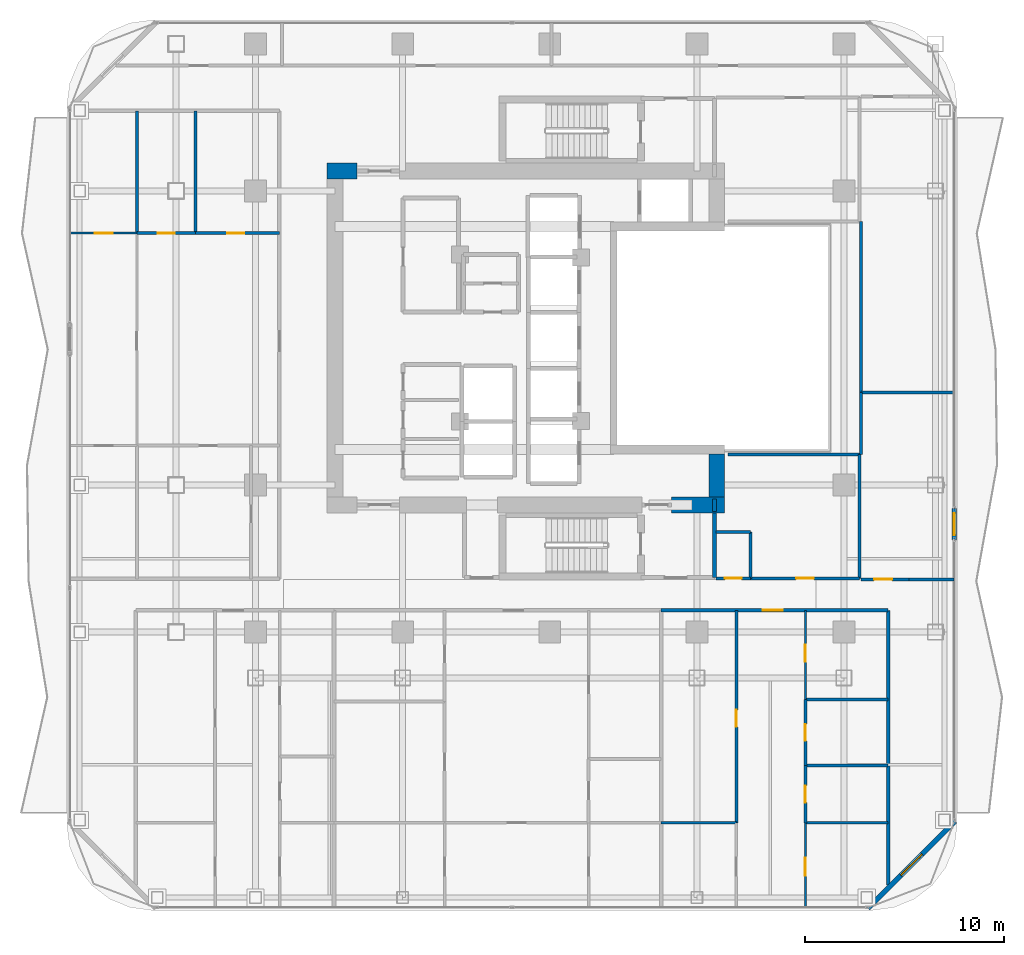
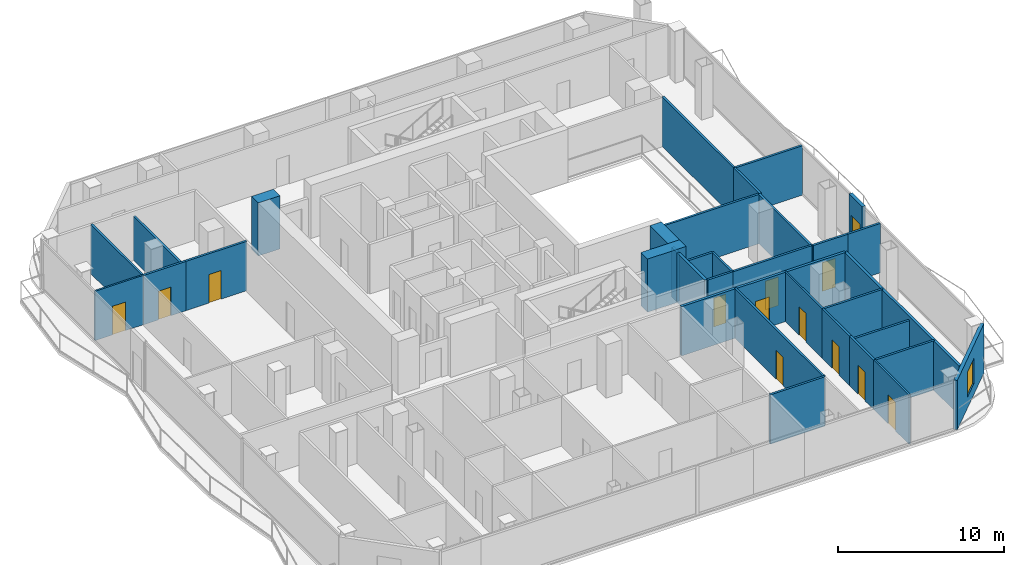
# One storey, part 19 of 24: 34 walls, 13 doors, 1 window, 14 openings.
"""IFC4 building model written with IfcOpenShell, lengths in metres."""

from ifc_helpers import new_model, si_unit, direction, frame, frame_2d, origin, place, context, subcontext, project, spatial, rectangle, extrude, material, layer, layer_set, type_object, element, fill, save


model = new_model("IFC4")

# Units and contexts
model_context = context("Model", 3, precision=1e-05, world=origin(), true_north=direction((0.0, 1.0)))
body_context = subcontext(model_context, "Body", "Model", "MODEL_VIEW")
ifc_project = project(units=[si_unit("LENGTHUNIT", "METRE"), si_unit("AREAUNIT", "SQUARE_METRE"), si_unit("VOLUMEUNIT", "CUBIC_METRE"), si_unit("PLANEANGLEUNIT", "RADIAN"), si_unit("MASSUNIT", "GRAM", prefix="KILO")], contexts=[model_context])

# Site, building, storey
site_placement = place(None, origin())
site = spatial("IfcSite", under=ifc_project, at=site_placement, CompositionType="ELEMENT")
building_placement = place(site_placement, origin())
building = spatial("IfcBuilding", under=site, at=building_placement, Name="Khorvyn Point Tower", CompositionType="ELEMENT")
storey_placement = place(building_placement, frame((0.0, 0.0, 215.699951171875)))
storey = spatial("IfcBuildingStorey", under=building, at=storey_placement, Name="L53", CompositionType="ELEMENT", Elevation=215.699951171875)

# Wall, opening, door
ifc_material_1 = material(Name="Double acoustic gypsum on twin steel stud", Category="steel")
ifc_layer_1 = layer(ifc_material_1, 0.179931640625)
ifc_layer_set_1 = layer_set([ifc_layer_1], Name="Acoustic Double-Stud Apartment Demising Wall 180")
wall_type_1 = type_object("IfcWallType", Name="Acoustic Double-Stud Apartment Demising Wall 180", PredefinedType="PARTITIONING", material=ifc_layer_set_1)
wall_1_placement = place(storey_placement, frame((5.59912109375, -13.699951171875, 0.0), z_axis=(0.0, 0.0, 1.0), x_axis=(1.0, 0.0, 0.0)))
wall_1 = element("IfcWall", 1, at=wall_1_placement, inside=storey, type_object=wall_type_1, Name="Wall", PredefinedType="PARTITIONING", context=body_context, shape_type="SweptSolid", body=[
    extrude(rectangle(XDim=11.4208984375, YDim=0.179931640625, at=frame_2d((5.71044921875, 0.0))), origin(), (0.0, 0.0, 1.0), 3.6201171875),
])
opening_1_placement = place(wall_1_placement, frame((5.121826171875, 0.0, 0.0)))
opening_1 = element("IfcOpeningElement", 2, at=opening_1_placement, cuts=wall_1, Name="Opening ID-AP60", PredefinedType="OPENING", context=body_context, shape_type="SweptSolid", body=[
    extrude(rectangle(XDim=1.0, YDim=2.199951171875, at=frame_2d((0.5, 1.10009765625))), frame((0.0, 0.099853515625, 0.0), z_axis=(0.0, -1.0, 0.0), x_axis=(1.0, 0.0, 0.0)), (0.0, 0.0, 1.0), 0.199951171875),
])
ifc_material_2 = material(Name="Engineered hardwood fire-rated leaf", Category="wood")
door_type_1 = type_object("IfcDoorType", Name="Acoustic Solid-Core Timber Apartment Entrance Door 1000x2200", OperationType="NOTDEFINED", PredefinedType="DOOR", material=ifc_material_2)
door_1_placement = place(opening_1_placement, origin())
door_1 = element("IfcDoor", 3, at=door_1_placement, inside=storey, type_object=door_type_1, Name="Door", OperationType="SINGLE_SWING_LEFT", OverallHeight=2.199951171875, OverallWidth=1.0, PredefinedType="DOOR", context=body_context, shape_type="SweptSolid", body=[
    extrude(rectangle(XDim=1.0, YDim=2.199951171875, at=frame_2d((0.5, 1.10009765625))), frame((0.0, 0.02490234375, 0.0), z_axis=(0.0, -1.0, 0.0), x_axis=(1.0, 0.0, 0.0)), (0.0, 0.0, 1.0), 0.050048828125),
])
fill(opening_1, door_1)

# Wall
wall_2_placement = place(storey_placement, frame((17.02001953125, -27.510009765625, 0.0), z_axis=(0.0, 0.0, 1.0), x_axis=(0.0, 1.0, 0.0)))
element("IfcWall", 4, at=wall_2_placement, inside=storey, type_object=wall_type_1, Name="Wall", PredefinedType="PARTITIONING", context=body_context, shape_type="SweptSolid", body=[
    extrude(rectangle(XDim=13.81005859375, YDim=0.179931640625, at=frame_2d((6.905029296875, 0.0))), origin(), (0.0, 0.0, 1.0), 3.6201171875),
])

# Wall, opening, door
ifc_material_3 = material(Name="Pale anodised aluminium rainscreen on steel stud", Category="steel")
ifc_layer_2 = layer(ifc_material_3, 0.239990234375)
ifc_layer_set_2 = layer_set([ifc_layer_2], Name="Anodised Aluminium Insulated Corner Spandrel Wall 240")
wall_type_2 = type_object("IfcWallType", Name="Anodised Aluminium Insulated Corner Spandrel Wall 240", PredefinedType="SOLIDWALL", material=ifc_layer_set_2)
wall_3_placement = place(storey_placement, frame((20.35009765625, -8.576904296875, 0.0), z_axis=(0.0, 0.0, 1.0), x_axis=(0.0, -1.0, 0.0)))
wall_3 = element("IfcWall", 5, at=wall_3_placement, inside=storey, type_object=wall_type_2, Name="L53 East Outdoor Threshold Wall", PredefinedType="SOLIDWALL", context=body_context, shape_type="SweptSolid", body=[
    extrude(rectangle(XDim=1.580078125, YDim=0.239990234375, at=frame_2d((0.7900390625, 0.0))), origin(), (0.0, 0.0, 1.0), 3.6201171875),
])
opening_2_placement = place(wall_3_placement, frame((0.239990234375, 0.0, 0.0)))
opening_2 = element("IfcOpeningElement", 6, at=opening_2_placement, cuts=wall_3, Name="Opening BD-1122", PredefinedType="OPENING", context=body_context, shape_type="SweptSolid", body=[
    extrude(rectangle(XDim=1.10009765625, YDim=2.199951171875, at=frame_2d((0.550048828125, 1.10009765625))), frame((0.0, 0.1298828125, 0.0), z_axis=(0.0, -1.0, 0.0), x_axis=(1.0, 0.0, 0.0)), (0.0, 0.0, 1.0), 0.260009765625),
])
ifc_material_4 = material(Name="Anodised aluminium 6063-T6 and laminated Low-E glass", Category="aluminium")
door_type_2 = type_object("IfcDoorType", Name="Glazed Balcony and Terrace Threshold Door 1100x2200", OperationType="NOTDEFINED", PredefinedType="DOOR", material=ifc_material_4)
door_2_placement = place(opening_2_placement, origin())
door_2 = element("IfcDoor", 7, at=door_2_placement, inside=storey, type_object=door_type_2, Name="L53 East Glazed Balcony Outdoor Door", OperationType="SINGLE_SWING_LEFT", OverallHeight=2.199951171875, OverallWidth=1.10009765625, PredefinedType="DOOR", context=body_context, shape_type="SweptSolid", body=[
    extrude(rectangle(XDim=1.10009765625, YDim=2.199951171875, at=frame_2d((0.550048828125, 1.10009765625))), frame((0.0, 0.02490234375, 0.0), z_axis=(0.0, -1.0, 0.0), x_axis=(1.0, 0.0, 0.0)), (0.0, 0.0, 1.0), 0.050048828125),
])
fill(opening_2, door_2)

# Wall, opening, window
wall_4_placement = place(storey_placement, frame((20.392333984375, -24.3076171875, 0.0), z_axis=(0.0, 0.0, 1.0), x_axis=(-0.707106781187, -0.707106781187, 0.0)))
wall_4 = element("IfcWall", 8, at=wall_4_placement, inside=storey, type_object=wall_type_2, Name="L53 Rounded Corner Wall SE", PredefinedType="SOLIDWALL", context=body_context, shape_type="SweptSolid", body=[
    extrude(rectangle(XDim=6.200927734375, YDim=0.239990234375, at=frame_2d((3.1005859375, 0.0))), origin(), (0.0, 0.0, 1.0), 3.6201171875),
])
opening_3_placement = place(wall_4_placement, frame((2.3505859375, 0.0, 0.800048828125)))
opening_3 = element("IfcOpeningElement", 9, at=opening_3_placement, cuts=wall_4, Name="Opening WN-1518", PredefinedType="OPENING", context=body_context, shape_type="SweptSolid", body=[
    extrude(rectangle(XDim=1.5, YDim=1.85009765625, at=frame_2d((0.75, 0.925048828125))), frame((0.0, 0.1298828125, 0.0), z_axis=(0.0, -1.0, 0.0), x_axis=(1.0, 0.0, 0.0)), (0.0, 0.0, 1.0), 0.260009765625),
])
window_type = type_object("IfcWindowType", Name="Anodised Aluminium Rounded-Corner Panoramic Window 1500x1850", PartitioningType="SINGLE_PANEL", PredefinedType="WINDOW", material=ifc_material_4)
window_placement = place(opening_3_placement, origin())
window = element("IfcWindow", 10, at=window_placement, inside=storey, type_object=window_type, Name="L53 Corner Panoramic Window SE", OverallHeight=1.85009765625, OverallWidth=1.5, PartitioningType="SINGLE_PANEL", PredefinedType="WINDOW", context=body_context, shape_type="SweptSolid", body=[
    extrude(rectangle(XDim=1.5, YDim=1.85009765625, at=frame_2d((0.75, 0.925048828125))), frame((0.0, 0.030029296875, 0.0), z_axis=(0.0, -1.0, 0.0), x_axis=(1.0, 0.0, 0.0)), (0.0, 0.0, 1.0), 0.06005859375),
])
fill(opening_3, window)

# Walls
ifc_material_5 = material(Name="Concrete C40/50", Category="concrete")
ifc_layer_3 = layer(ifc_material_5, 0.199951171875)
ifc_layer_set_3 = layer_set([ifc_layer_3], Name="Concrete C40/50 Fire-Lobby Compartment Wall 200")
wall_type_3 = type_object("IfcWallType", Name="Concrete C40/50 Fire-Lobby Compartment Wall 200", PredefinedType="SOLIDWALL", material=ifc_layer_set_3)
wall_5_placement = place(storey_placement, frame((8.280029296875, -12.06005859375, 0.0), z_axis=(0.0, 0.0, 1.0), x_axis=(0.0, 1.0, 0.0)))
element("IfcWall", 11, at=wall_5_placement, inside=storey, type_object=wall_type_3, Name="Wall", PredefinedType="SOLIDWALL", context=body_context, shape_type="SweptSolid", body=[
    extrude(rectangle(XDim=3.260009765625, YDim=0.199951171875, at=frame_2d((1.6298828125, 0.0))), origin(), (0.0, 0.0, 1.0), 3.6201171875),
])
wall_6_placement = place(storey_placement, frame((8.280029296875, -8.72509765625, 0.0), z_axis=(0.0, 0.0, 1.0), x_axis=(0.0, 1.0, 0.0)))
element("IfcWall", 12, at=wall_6_placement, inside=storey, type_object=wall_type_3, Name="Wall", PredefinedType="SOLIDWALL", context=body_context, shape_type="SweptSolid", body=[
    extrude(rectangle(XDim=0.625, YDim=0.199951171875, at=frame_2d((0.3125, 0.0))), origin(), (0.0, 0.0, 1.0), 3.6201171875),
])
ifc_material_6 = material(Name="Concrete C45/55", Category="concrete")
ifc_layer_4 = layer(ifc_material_6, 0.800048828125)
ifc_layer_set_4 = layer_set([ifc_layer_4], Name="Concrete C45/55 Core Shear Wall 800")
wall_type_4 = type_object("IfcWallType", Name="Concrete C45/55 Core Shear Wall 800", PredefinedType="SHEAR", material=ifc_layer_set_4)
wall_7_placement = place(storey_placement, frame((6.1201171875, -8.39990234375, 0.0), z_axis=(0.0, 0.0, 1.0), x_axis=(1.0, 0.0, 0.0)))
element("IfcWall", 13, at=wall_7_placement, inside=storey, type_object=wall_type_4, Name="Wall", PredefinedType="SHEAR", context=body_context, shape_type="SweptSolid", body=[
    extrude(rectangle(XDim=2.679931640625, YDim=0.800048828125, at=frame_2d((1.33984375, 0.0))), origin(), (0.0, 0.0, 1.0), 3.900146484375),
])
wall_8_placement = place(storey_placement, frame((-11.199951171875, 8.39990234375, 0.0), z_axis=(0.0, 0.0, 1.0), x_axis=(1.0, 0.0, 0.0)))
element("IfcWall", 14, at=wall_8_placement, inside=storey, type_object=wall_type_4, Name="Wall", PredefinedType="SHEAR", context=body_context, shape_type="SweptSolid", body=[
    extrude(rectangle(XDim=1.5, YDim=0.800048828125, at=frame_2d((0.75, 0.0))), origin(), (0.0, 0.0, 1.0), 3.900146484375),
])
wall_9_placement = place(storey_placement, frame((8.39990234375, -8.0, 0.0), z_axis=(0.0, 0.0, 1.0), x_axis=(0.0, 1.0, 0.0)))
element("IfcWall", 15, at=wall_9_placement, inside=storey, type_object=wall_type_4, Name="Wall", PredefinedType="SHEAR", context=body_context, shape_type="SweptSolid", body=[
    extrude(rectangle(XDim=2.175048828125, YDim=0.800048828125, at=frame_2d((1.08740234375, 0.0))), origin(), (0.0, 0.0, 1.0), 3.900146484375),
])

# Wall, opening, door
ifc_material_7 = material(Name="Gypsum plasterboard on steel stud", Category="steel")
ifc_layer_5 = layer(ifc_material_7, 0.1201171875)
ifc_layer_set_5 = layer_set([ifc_layer_5], Name="Gypsum Acoustic Stud Room Partition Wall 120")
wall_type_5 = type_object("IfcWallType", Name="Gypsum Acoustic Stud Room Partition Wall 120", PredefinedType="PARTITIONING", material=ifc_layer_set_5)
wall_10_placement = place(storey_placement, frame((12.865966796875, -18.18994140625, 0.0), z_axis=(0.0, 0.0, 1.0), x_axis=(0.0, 1.0, 0.0)))
wall_10 = element("IfcWall", 16, at=wall_10_placement, inside=storey, type_object=wall_type_5, Name="Wall", PredefinedType="PARTITIONING", context=body_context, shape_type="SweptSolid", body=[
    extrude(rectangle(XDim=4.489990234375, YDim=0.1201171875, at=frame_2d((2.2451171875, 0.0))), origin(), (0.0, 0.0, 1.0), 3.6201171875),
])
opening_4_placement = place(wall_10_placement, frame((1.907470703125, 0.0, 0.0)))
opening_4 = element("IfcOpeningElement", 17, at=opening_4_placement, cuts=wall_10, Name="Opening ID-WC85", PredefinedType="OPENING", context=body_context, shape_type="SweptSolid", body=[
    extrude(rectangle(XDim=0.85009765625, YDim=2.10009765625, at=frame_2d((0.425048828125, 1.050048828125))), frame((0.0, 0.070068359375, 0.0), z_axis=(0.0, -1.0, 0.0), x_axis=(1.0, 0.0, 0.0)), (0.0, 0.0, 1.0), 0.14013671875),
])
ifc_material_8 = material(Name="High-pressure laminate on moisture-resistant core", Category="wood")
door_type_3 = type_object("IfcDoorType", Name="Moisture-Resistant Accessible Washroom Door 850x2100", OperationType="NOTDEFINED", PredefinedType="DOOR", material=ifc_material_8)
door_3_placement = place(opening_4_placement, origin())
door_3 = element("IfcDoor", 18, at=door_3_placement, inside=storey, type_object=door_type_3, Name="Door", OperationType="SINGLE_SWING_RIGHT", OverallHeight=2.10009765625, OverallWidth=0.85009765625, PredefinedType="DOOR", context=body_context, shape_type="SweptSolid", body=[
    extrude(rectangle(XDim=0.85009765625, YDim=2.10009765625, at=frame_2d((0.425048828125, 1.050048828125))), frame((0.0, 0.02490234375, 0.0), z_axis=(0.0, -1.0, 0.0), x_axis=(1.0, 0.0, 0.0)), (0.0, 0.0, 1.0), 0.050048828125),
])
fill(opening_4, door_3)

wall_11_placement = place(storey_placement, frame((12.865966796875, -28.6298828125, 0.0), z_axis=(0.0, 0.0, 1.0), x_axis=(0.0, 1.0, 0.0)))
wall_11 = element("IfcWall", 19, at=wall_11_placement, inside=storey, type_object=wall_type_5, Name="Wall", PredefinedType="PARTITIONING", context=body_context, shape_type="SweptSolid", body=[
    extrude(rectangle(XDim=4.239990234375, YDim=0.1201171875, at=frame_2d((2.1201171875, 0.0))), origin(), (0.0, 0.0, 1.0), 3.6201171875),
])
opening_5_placement = place(wall_11_placement, frame((1.581298828125, 0.0, 0.0)))
opening_5 = element("IfcOpeningElement", 20, at=opening_5_placement, cuts=wall_11, Name="Opening ID-RM90", PredefinedType="OPENING", context=body_context, shape_type="SweptSolid", body=[
    extrude(rectangle(XDim=0.89990234375, YDim=2.10009765625, at=frame_2d((0.449951171875, 1.050048828125))), frame((0.0, 0.070068359375, 0.0), z_axis=(0.0, -1.0, 0.0), x_axis=(1.0, 0.0, 0.0)), (0.0, 0.0, 1.0), 0.14013671875),
])
ifc_material_9 = material(Name="Engineered oak veneer timber", Category="wood")
door_type_4 = type_object("IfcDoorType", Name="Flush Engineered Timber Room Door 900x2100", OperationType="NOTDEFINED", PredefinedType="DOOR", material=ifc_material_9)
door_4_placement = place(opening_5_placement, origin())
door_4 = element("IfcDoor", 21, at=door_4_placement, inside=storey, type_object=door_type_4, Name="Door", OperationType="SINGLE_SWING_LEFT", OverallHeight=2.10009765625, OverallWidth=0.89990234375, PredefinedType="DOOR", context=body_context, shape_type="SweptSolid", body=[
    extrude(rectangle(XDim=0.89990234375, YDim=2.10009765625, at=frame_2d((0.449951171875, 1.050048828125))), frame((0.0, 0.02490234375, 0.0), z_axis=(0.0, -1.0, 0.0), x_axis=(1.0, 0.0, 0.0)), (0.0, 0.0, 1.0), 0.050048828125),
])
fill(opening_5, door_4)

wall_12_placement = place(storey_placement, frame((-24.1298828125, 5.281982421875, 0.0), z_axis=(0.0, 0.0, 1.0), x_axis=(1.0, 0.0, 0.0)))
wall_12 = element("IfcWall", 22, at=wall_12_placement, inside=storey, type_object=wall_type_5, Name="Wall", PredefinedType="PARTITIONING", context=body_context, shape_type="SweptSolid", body=[
    extrude(rectangle(XDim=3.36083984375, YDim=0.1201171875, at=frame_2d((1.680419921875, 0.0))), origin(), (0.0, 0.0, 1.0), 3.6201171875),
])
opening_6_placement = place(wall_12_placement, frame((1.23046875, 0.0, 0.0)))
opening_6 = element("IfcOpeningElement", 23, at=opening_6_placement, cuts=wall_12, Name="Opening ID-RM90", PredefinedType="OPENING", context=body_context, shape_type="SweptSolid", body=[
    extrude(rectangle(XDim=0.89990234375, YDim=2.10009765625, at=frame_2d((0.449951171875, 1.050048828125))), frame((0.0, 0.070068359375, 0.0), z_axis=(0.0, -1.0, 0.0), x_axis=(1.0, 0.0, 0.0)), (0.0, 0.0, 1.0), 0.14013671875),
])
door_5_placement = place(opening_6_placement, origin())
door_5 = element("IfcDoor", 24, at=door_5_placement, inside=storey, type_object=door_type_4, Name="Door", OperationType="SINGLE_SWING_LEFT", OverallHeight=2.10009765625, OverallWidth=0.89990234375, PredefinedType="DOOR", context=body_context, shape_type="SweptSolid", body=[
    extrude(rectangle(XDim=0.89990234375, YDim=2.10009765625, at=frame_2d((0.449951171875, 1.050048828125))), frame((0.0, 0.02490234375, 0.0), z_axis=(0.0, -1.0, 0.0), x_axis=(1.0, 0.0, 0.0)), (0.0, 0.0, 1.0), 0.050048828125),
])
fill(opening_6, door_5)

ifc_material_10 = material(Name="Moisture-resistant gypsum and cement board", Category="gypsum")
ifc_layer_6 = layer(ifc_material_10, 0.14990234375)
ifc_layer_set_6 = layer_set([ifc_layer_6], Name="Moisture-Resistant Wet-Room Partition Wall 150")
wall_type_6 = type_object("IfcWallType", Name="Moisture-Resistant Wet-Room Partition Wall 150", PredefinedType="PARTITIONING", material=ifc_layer_set_6)
wall_13_placement = place(storey_placement, frame((8.360107421875, -12.10009765625, 0.0), z_axis=(0.0, 0.0, 1.0), x_axis=(1.0, 0.0, 0.0)))
wall_13 = element("IfcWall", 25, at=wall_13_placement, inside=storey, type_object=wall_type_6, Name="Wall", PredefinedType="PARTITIONING", context=body_context, shape_type="SweptSolid", body=[
    extrude(rectangle(XDim=1.739990234375, YDim=0.14990234375, at=frame_2d((0.8701171875, 0.0))), origin(), (0.0, 0.0, 1.0), 3.6201171875),
])
opening_7_placement = place(wall_13_placement, frame((0.445068359375, 0.0, 0.0)))
opening_7 = element("IfcOpeningElement", 26, at=opening_7_placement, cuts=wall_13, Name="Opening ID-WC85", PredefinedType="OPENING", context=body_context, shape_type="SweptSolid", body=[
    extrude(rectangle(XDim=0.85009765625, YDim=2.10009765625, at=frame_2d((0.425048828125, 1.050048828125))), frame((0.0, 0.0849609375, 0.0), z_axis=(0.0, -1.0, 0.0), x_axis=(1.0, 0.0, 0.0)), (0.0, 0.0, 1.0), 0.169921875),
])
door_6_placement = place(opening_7_placement, origin())
door_6 = element("IfcDoor", 27, at=door_6_placement, inside=storey, type_object=door_type_3, Name="Door", OperationType="SINGLE_SWING_LEFT", OverallHeight=2.10009765625, OverallWidth=0.85009765625, PredefinedType="DOOR", context=body_context, shape_type="SweptSolid", body=[
    extrude(rectangle(XDim=0.85009765625, YDim=2.10009765625, at=frame_2d((0.425048828125, 1.050048828125))), frame((0.0, 0.02490234375, 0.0), z_axis=(0.0, -1.0, 0.0), x_axis=(1.0, 0.0, 0.0)), (0.0, 0.0, 1.0), 0.050048828125),
])
fill(opening_7, door_6)

wall_14_placement = place(storey_placement, frame((10.10009765625, -12.10009765625, 0.0), z_axis=(0.0, 0.0, 1.0), x_axis=(1.0, 0.0, 0.0)))
wall_14 = element("IfcWall", 28, at=wall_14_placement, inside=storey, type_object=wall_type_6, Name="Wall", PredefinedType="PARTITIONING", context=body_context, shape_type="SweptSolid", body=[
    extrude(rectangle(XDim=5.47998046875, YDim=0.14990234375, at=frame_2d((2.739990234375, 0.0))), origin(), (0.0, 0.0, 1.0), 3.6201171875),
])
opening_8_placement = place(wall_14_placement, frame((2.2900390625, 0.0, 0.0)))
opening_8 = element("IfcOpeningElement", 29, at=opening_8_placement, cuts=wall_14, Name="Opening ID-RM90", PredefinedType="OPENING", context=body_context, shape_type="SweptSolid", body=[
    extrude(rectangle(XDim=0.89990234375, YDim=2.10009765625, at=frame_2d((0.449951171875, 1.050048828125))), frame((0.0, 0.0849609375, 0.0), z_axis=(0.0, -1.0, 0.0), x_axis=(1.0, 0.0, 0.0)), (0.0, 0.0, 1.0), 0.169921875),
])
door_7_placement = place(opening_8_placement, origin())
door_7 = element("IfcDoor", 30, at=door_7_placement, inside=storey, type_object=door_type_4, Name="Door", OperationType="SINGLE_SWING_RIGHT", OverallHeight=2.10009765625, OverallWidth=0.89990234375, PredefinedType="DOOR", context=body_context, shape_type="SweptSolid", body=[
    extrude(rectangle(XDim=0.89990234375, YDim=2.10009765625, at=frame_2d((0.449951171875, 1.050048828125))), frame((0.0, 0.02490234375, 0.0), z_axis=(0.0, -1.0, 0.0), x_axis=(1.0, 0.0, 0.0)), (0.0, 0.0, 1.0), 0.050048828125),
])
fill(opening_8, door_7)

wall_15_placement = place(storey_placement, frame((9.385986328125, -24.389892578125, 0.0), z_axis=(0.0, 0.0, 1.0), x_axis=(0.0, 1.0, 0.0)))
wall_15 = element("IfcWall", 31, at=wall_15_placement, inside=storey, type_object=wall_type_6, Name="Wall", PredefinedType="PARTITIONING", context=body_context, shape_type="SweptSolid", body=[
    extrude(rectangle(XDim=10.68994140625, YDim=0.14990234375, at=frame_2d((5.344970703125, 0.0))), origin(), (0.0, 0.0, 1.0), 3.6201171875),
])
opening_9_placement = place(wall_15_placement, frame((4.830078125, 0.0, 0.0)))
opening_9 = element("IfcOpeningElement", 32, at=opening_9_placement, cuts=wall_15, Name="Opening ID-WC85", PredefinedType="OPENING", context=body_context, shape_type="SweptSolid", body=[
    extrude(rectangle(XDim=0.85009765625, YDim=2.10009765625, at=frame_2d((0.425048828125, 1.050048828125))), frame((0.0, 0.0849609375, 0.0), z_axis=(0.0, -1.0, 0.0), x_axis=(1.0, 0.0, 0.0)), (0.0, 0.0, 1.0), 0.169921875),
])
door_8_placement = place(opening_9_placement, origin())
door_8 = element("IfcDoor", 33, at=door_8_placement, inside=storey, type_object=door_type_3, Name="Door", OperationType="SINGLE_SWING_RIGHT", OverallHeight=2.10009765625, OverallWidth=0.85009765625, PredefinedType="DOOR", context=body_context, shape_type="SweptSolid", body=[
    extrude(rectangle(XDim=0.85009765625, YDim=2.10009765625, at=frame_2d((0.425048828125, 1.050048828125))), frame((0.0, 0.02490234375, 0.0), z_axis=(0.0, -1.0, 0.0), x_axis=(1.0, 0.0, 0.0)), (0.0, 0.0, 1.0), 0.050048828125),
])
fill(opening_9, door_8)

wall_16_placement = place(storey_placement, frame((12.865966796875, -24.389892578125, 0.0), z_axis=(0.0, 0.0, 1.0), x_axis=(0.0, 1.0, 0.0)))
wall_16 = element("IfcWall", 34, at=wall_16_placement, inside=storey, type_object=wall_type_6, Name="Wall", PredefinedType="PARTITIONING", context=body_context, shape_type="SweptSolid", body=[
    extrude(rectangle(XDim=2.885986328125, YDim=0.14990234375, at=frame_2d((1.44287109375, 0.0))), origin(), (0.0, 0.0, 1.0), 3.6201171875),
])
opening_10_placement = place(wall_16_placement, frame((1.01806640625, 0.0, 0.0)))
opening_10 = element("IfcOpeningElement", 35, at=opening_10_placement, cuts=wall_16, Name="Opening ID-WC85", PredefinedType="OPENING", context=body_context, shape_type="SweptSolid", body=[
    extrude(rectangle(XDim=0.85009765625, YDim=2.10009765625, at=frame_2d((0.425048828125, 1.050048828125))), frame((0.0, 0.0849609375, 0.0), z_axis=(0.0, -1.0, 0.0), x_axis=(1.0, 0.0, 0.0)), (0.0, 0.0, 1.0), 0.169921875),
])
door_9_placement = place(opening_10_placement, origin())
door_9 = element("IfcDoor", 36, at=door_9_placement, inside=storey, type_object=door_type_3, Name="Door", OperationType="SINGLE_SWING_RIGHT", OverallHeight=2.10009765625, OverallWidth=0.85009765625, PredefinedType="DOOR", context=body_context, shape_type="SweptSolid", body=[
    extrude(rectangle(XDim=0.85009765625, YDim=2.10009765625, at=frame_2d((0.425048828125, 1.050048828125))), frame((0.0, 0.02490234375, 0.0), z_axis=(0.0, -1.0, 0.0), x_axis=(1.0, 0.0, 0.0)), (0.0, 0.0, 1.0), 0.050048828125),
])
fill(opening_10, door_9)

wall_17_placement = place(storey_placement, frame((12.865966796875, -21.50390625, 0.0), z_axis=(0.0, 0.0, 1.0), x_axis=(0.0, 1.0, 0.0)))
wall_17 = element("IfcWall", 37, at=wall_17_placement, inside=storey, type_object=wall_type_6, Name="Wall", PredefinedType="PARTITIONING", context=body_context, shape_type="SweptSolid", body=[
    extrude(rectangle(XDim=3.31396484375, YDim=0.14990234375, at=frame_2d((1.656982421875, 0.0))), origin(), (0.0, 0.0, 1.0), 3.6201171875),
])
opening_11_placement = place(wall_17_placement, frame((1.23193359375, 0.0, 0.0)))
opening_11 = element("IfcOpeningElement", 38, at=opening_11_placement, cuts=wall_17, Name="Opening ID-WC85", PredefinedType="OPENING", context=body_context, shape_type="SweptSolid", body=[
    extrude(rectangle(XDim=0.85009765625, YDim=2.10009765625, at=frame_2d((0.425048828125, 1.050048828125))), frame((0.0, 0.0849609375, 0.0), z_axis=(0.0, -1.0, 0.0), x_axis=(1.0, 0.0, 0.0)), (0.0, 0.0, 1.0), 0.169921875),
])
door_10_placement = place(opening_11_placement, origin())
door_10 = element("IfcDoor", 39, at=door_10_placement, inside=storey, type_object=door_type_3, Name="Door", OperationType="SINGLE_SWING_LEFT", OverallHeight=2.10009765625, OverallWidth=0.85009765625, PredefinedType="DOOR", context=body_context, shape_type="SweptSolid", body=[
    extrude(rectangle(XDim=0.85009765625, YDim=2.10009765625, at=frame_2d((0.425048828125, 1.050048828125))), frame((0.0, 0.02490234375, 0.0), z_axis=(0.0, -1.0, 0.0), x_axis=(1.0, 0.0, 0.0)), (0.0, 0.0, 1.0), 0.050048828125),
])
fill(opening_11, door_10)

wall_18_placement = place(storey_placement, frame((-20.76904296875, 5.281982421875, 0.0), z_axis=(0.0, 0.0, 1.0), x_axis=(1.0, 0.0, 0.0)))
wall_18 = element("IfcWall", 40, at=wall_18_placement, inside=storey, type_object=wall_type_6, Name="Wall", PredefinedType="PARTITIONING", context=body_context, shape_type="SweptSolid", body=[
    extrude(rectangle(XDim=2.93896484375, YDim=0.14990234375, at=frame_2d((1.469482421875, 0.0))), origin(), (0.0, 0.0, 1.0), 3.6201171875),
])
opening_12_placement = place(wall_18_placement, frame((1.04443359375, 0.0, 0.0)))
opening_12 = element("IfcOpeningElement", 41, at=opening_12_placement, cuts=wall_18, Name="Opening ID-WC85", PredefinedType="OPENING", context=body_context, shape_type="SweptSolid", body=[
    extrude(rectangle(XDim=0.85009765625, YDim=2.10009765625, at=frame_2d((0.425048828125, 1.050048828125))), frame((0.0, 0.0849609375, 0.0), z_axis=(0.0, -1.0, 0.0), x_axis=(1.0, 0.0, 0.0)), (0.0, 0.0, 1.0), 0.169921875),
])
door_11_placement = place(opening_12_placement, origin())
door_11 = element("IfcDoor", 42, at=door_11_placement, inside=storey, type_object=door_type_3, Name="Door", OperationType="SINGLE_SWING_LEFT", OverallHeight=2.10009765625, OverallWidth=0.85009765625, PredefinedType="DOOR", context=body_context, shape_type="SweptSolid", body=[
    extrude(rectangle(XDim=0.85009765625, YDim=2.10009765625, at=frame_2d((0.425048828125, 1.050048828125))), frame((0.0, 0.02490234375, 0.0), z_axis=(0.0, -1.0, 0.0), x_axis=(1.0, 0.0, 0.0)), (0.0, 0.0, 1.0), 0.050048828125),
])
fill(opening_12, door_11)

wall_19_placement = place(storey_placement, frame((-17.830078125, 5.281982421875, 0.0), z_axis=(0.0, 0.0, 1.0), x_axis=(1.0, 0.0, 0.0)))
wall_19 = element("IfcWall", 43, at=wall_19_placement, inside=storey, type_object=wall_type_6, Name="Wall", PredefinedType="PARTITIONING", context=body_context, shape_type="SweptSolid", body=[
    extrude(rectangle(XDim=4.22998046875, YDim=0.14990234375, at=frame_2d((2.114990234375, 0.0))), origin(), (0.0, 0.0, 1.0), 3.6201171875),
])
opening_13_placement = place(wall_19_placement, frame((1.60009765625, 0.0, 0.0)))
opening_13 = element("IfcOpeningElement", 44, at=opening_13_placement, cuts=wall_19, Name="Opening ID-WC85", PredefinedType="OPENING", context=body_context, shape_type="SweptSolid", body=[
    extrude(rectangle(XDim=0.85009765625, YDim=2.10009765625, at=frame_2d((0.425048828125, 1.050048828125))), frame((0.0, 0.0849609375, 0.0), z_axis=(0.0, -1.0, 0.0), x_axis=(1.0, 0.0, 0.0)), (0.0, 0.0, 1.0), 0.169921875),
])
door_12_placement = place(opening_13_placement, origin())
door_12 = element("IfcDoor", 45, at=door_12_placement, inside=storey, type_object=door_type_3, Name="Door", OperationType="SINGLE_SWING_RIGHT", OverallHeight=2.10009765625, OverallWidth=0.85009765625, PredefinedType="DOOR", context=body_context, shape_type="SweptSolid", body=[
    extrude(rectangle(XDim=0.85009765625, YDim=2.10009765625, at=frame_2d((0.425048828125, 1.050048828125))), frame((0.0, 0.02490234375, 0.0), z_axis=(0.0, -1.0, 0.0), x_axis=(1.0, 0.0, 0.0)), (0.0, 0.0, 1.0), 0.050048828125),
])
fill(opening_13, door_12)

wall_20_placement = place(storey_placement, frame((15.64990234375, -12.139892578125, 0.0), z_axis=(0.0, 0.0, 1.0), x_axis=(1.0, 0.0, 0.0)))
wall_20 = element("IfcWall", 46, at=wall_20_placement, inside=storey, type_object=wall_type_6, Name="Wall", PredefinedType="PARTITIONING", context=body_context, shape_type="SweptSolid", body=[
    extrude(rectangle(XDim=2.420166015625, YDim=0.14990234375, at=frame_2d((1.2099609375, 0.0))), origin(), (0.0, 0.0, 1.0), 3.6201171875),
])
opening_14_placement = place(wall_20_placement, frame((0.67431640625, 0.0, 0.0)))
opening_14 = element("IfcOpeningElement", 47, at=opening_14_placement, cuts=wall_20, Name="Opening ID-RM90", PredefinedType="OPENING", context=body_context, shape_type="SweptSolid", body=[
    extrude(rectangle(XDim=0.89990234375, YDim=2.10009765625, at=frame_2d((0.449951171875, 1.050048828125))), frame((0.0, 0.0849609375, 0.0), z_axis=(0.0, -1.0, 0.0), x_axis=(1.0, 0.0, 0.0)), (0.0, 0.0, 1.0), 0.169921875),
])
door_13_placement = place(opening_14_placement, origin())
door_13 = element("IfcDoor", 48, at=door_13_placement, inside=storey, type_object=door_type_4, Name="Door", OperationType="SINGLE_SWING_RIGHT", OverallHeight=2.10009765625, OverallWidth=0.89990234375, PredefinedType="DOOR", context=body_context, shape_type="SweptSolid", body=[
    extrude(rectangle(XDim=0.89990234375, YDim=2.10009765625, at=frame_2d((0.449951171875, 1.050048828125))), frame((0.0, 0.02490234375, 0.0), z_axis=(0.0, -1.0, 0.0), x_axis=(1.0, 0.0, 0.0)), (0.0, 0.0, 1.0), 0.050048828125),
])
fill(opening_14, door_13)

# Walls
wall_21_placement = place(storey_placement, frame((8.360107421875, -9.75, 0.0), z_axis=(0.0, 0.0, 1.0), x_axis=(1.0, 0.0, 0.0)))
element("IfcWall", 49, at=wall_21_placement, inside=storey, type_object=wall_type_6, Name="Wall", PredefinedType="PARTITIONING", context=body_context, shape_type="SweptSolid", body=[
    extrude(rectangle(XDim=1.739990234375, YDim=0.14990234375, at=frame_2d((0.8701171875, 0.0))), origin(), (0.0, 0.0, 1.0), 3.6201171875),
])
wall_22_placement = place(storey_placement, frame((10.10009765625, -12.10009765625, 0.0), z_axis=(0.0, 0.0, 1.0), x_axis=(0.0, 1.0, 0.0)))
element("IfcWall", 50, at=wall_22_placement, inside=storey, type_object=wall_type_6, Name="Wall", PredefinedType="PARTITIONING", context=body_context, shape_type="SweptSolid", body=[
    extrude(rectangle(XDim=2.35009765625, YDim=0.14990234375, at=frame_2d((1.175048828125, 0.0))), origin(), (0.0, 0.0, 1.0), 3.6201171875),
])
wall_23_placement = place(storey_placement, frame((15.580078125, -12.10009765625, 0.0), z_axis=(0.0, 0.0, 1.0), x_axis=(0.0, 1.0, 0.0)))
element("IfcWall", 51, at=wall_23_placement, inside=storey, type_object=wall_type_6, Name="Wall", PredefinedType="PARTITIONING", context=body_context, shape_type="SweptSolid", body=[
    extrude(rectangle(XDim=6.25, YDim=0.14990234375, at=frame_2d((3.125, 0.0))), origin(), (0.0, 0.0, 1.0), 3.6201171875),
])
wall_24_placement = place(storey_placement, frame((8.9599609375, -5.85009765625, 0.0), z_axis=(0.0, 0.0, 1.0), x_axis=(1.0, 0.0, 0.0)))
element("IfcWall", 52, at=wall_24_placement, inside=storey, type_object=wall_type_6, Name="Wall", PredefinedType="PARTITIONING", context=body_context, shape_type="SweptSolid", body=[
    extrude(rectangle(XDim=6.6201171875, YDim=0.14990234375, at=frame_2d((3.31005859375, 0.0))), origin(), (0.0, 0.0, 1.0), 3.6201171875),
])
wall_25_placement = place(storey_placement, frame((5.59912109375, -24.389892578125, 0.0), z_axis=(0.0, 0.0, 1.0), x_axis=(1.0, 0.0, 0.0)))
element("IfcWall", 53, at=wall_25_placement, inside=storey, type_object=wall_type_6, Name="Wall", PredefinedType="PARTITIONING", context=body_context, shape_type="SweptSolid", body=[
    extrude(rectangle(XDim=3.786865234375, YDim=0.14990234375, at=frame_2d((1.8935546875, 0.0))), origin(), (0.0, 0.0, 1.0), 3.6201171875),
])
wall_26_placement = place(storey_placement, frame((12.865966796875, -21.50390625, 0.0), z_axis=(0.0, 0.0, 1.0), x_axis=(1.0, 0.0, 0.0)))
element("IfcWall", 54, at=wall_26_placement, inside=storey, type_object=wall_type_6, Name="Wall", PredefinedType="PARTITIONING", context=body_context, shape_type="SweptSolid", body=[
    extrude(rectangle(XDim=4.154052734375, YDim=0.14990234375, at=frame_2d((2.0771484375, 0.0))), origin(), (0.0, 0.0, 1.0), 3.360107421875),
])
for number, where, z_axis, x_axis, name in (
    (55, (12.865966796875, -18.18994140625, 0.0), (0.0, 0.0, 1.0), (1.0, 0.0, 0.0), "Wall"),
    (56, (12.865966796875, -24.389892578125, 0.0), (0.0, 0.0, 1.0), (1.0, 0.0, 0.0), "Wall"),
):
    element("IfcWall", number, at=place(storey_placement, frame(where, z_axis=z_axis, x_axis=x_axis)), inside=storey, type_object=wall_type_6, Name=name, PredefinedType="PARTITIONING", context=body_context, shape_type="SweptSolid", body=[
        extrude(rectangle(XDim=4.154052734375, YDim=0.14990234375, at=frame_2d((2.0771484375, 0.0))), origin(), (0.0, 0.0, 1.0), 3.6201171875),
    ])
wall_27_placement = place(storey_placement, frame((-17.830078125, 5.281982421875, 0.0), z_axis=(0.0, 0.0, 1.0), x_axis=(0.0, 1.0, 0.0)))
element("IfcWall", 57, at=wall_27_placement, inside=storey, type_object=wall_type_6, Name="Wall", PredefinedType="PARTITIONING", context=body_context, shape_type="SweptSolid", body=[
    extrude(rectangle(XDim=6.14794921875, YDim=0.14990234375, at=frame_2d((3.073974609375, 0.0))), origin(), (0.0, 0.0, 1.0), 3.2099609375),
])
wall_28_placement = place(storey_placement, frame((-20.76904296875, 5.281982421875, 0.0), z_axis=(0.0, 0.0, 1.0), x_axis=(0.0, 1.0, 0.0)))
element("IfcWall", 58, at=wall_28_placement, inside=storey, type_object=wall_type_6, Name="Wall", PredefinedType="PARTITIONING", context=body_context, shape_type="SweptSolid", body=[
    extrude(rectangle(XDim=6.14794921875, YDim=0.14990234375, at=frame_2d((3.073974609375, 0.0))), origin(), (0.0, 0.0, 1.0), 3.6201171875),
])
wall_29_placement = place(storey_placement, frame((15.64990234375, -5.85009765625, 0.0), z_axis=(0.0, 0.0, 1.0), x_axis=(0.0, 1.0, 0.0)))
element("IfcWall", 59, at=wall_29_placement, inside=storey, type_object=wall_type_6, Name="Wall", PredefinedType="PARTITIONING", context=body_context, shape_type="SweptSolid", body=[
    extrude(rectangle(XDim=3.10009765625, YDim=0.14990234375, at=frame_2d((1.550048828125, 0.0))), origin(), (0.0, 0.0, 1.0), 3.6201171875),
])
wall_30_placement = place(storey_placement, frame((15.64990234375, -2.75, 0.0), z_axis=(0.0, 0.0, 1.0), x_axis=(0.0, 1.0, 0.0)))
element("IfcWall", 60, at=wall_30_placement, inside=storey, type_object=wall_type_6, Name="Wall", PredefinedType="PARTITIONING", context=body_context, shape_type="SweptSolid", body=[
    extrude(rectangle(XDim=8.60009765625, YDim=0.14990234375, at=frame_2d((4.300048828125, 0.0))), origin(), (0.0, 0.0, 1.0), 3.6201171875),
])
wall_31_placement = place(storey_placement, frame((15.64990234375, -2.75, 0.0), z_axis=(0.0, 0.0, 1.0), x_axis=(1.0, 0.0, 0.0)))
element("IfcWall", 61, at=wall_31_placement, inside=storey, type_object=wall_type_6, Name="Wall", PredefinedType="PARTITIONING", context=body_context, shape_type="SweptSolid", body=[
    extrude(rectangle(XDim=4.68017578125, YDim=0.14990234375, at=frame_2d((2.340087890625, 0.0))), origin(), (0.0, 0.0, 1.0), 3.6201171875),
])
wall_32_placement = place(storey_placement, frame((18.070068359375, -12.139892578125, 0.0), z_axis=(0.0, 0.0, 1.0), x_axis=(1.0, 0.0, 0.0)))
element("IfcWall", 62, at=wall_32_placement, inside=storey, type_object=wall_type_6, Name="Wall", PredefinedType="PARTITIONING", context=body_context, shape_type="SweptSolid", body=[
    extrude(rectangle(XDim=2.260009765625, YDim=0.14990234375, at=frame_2d((1.1298828125, 0.0))), origin(), (0.0, 0.0, 1.0), 3.6201171875),
])

save(model, "model.ifc")
